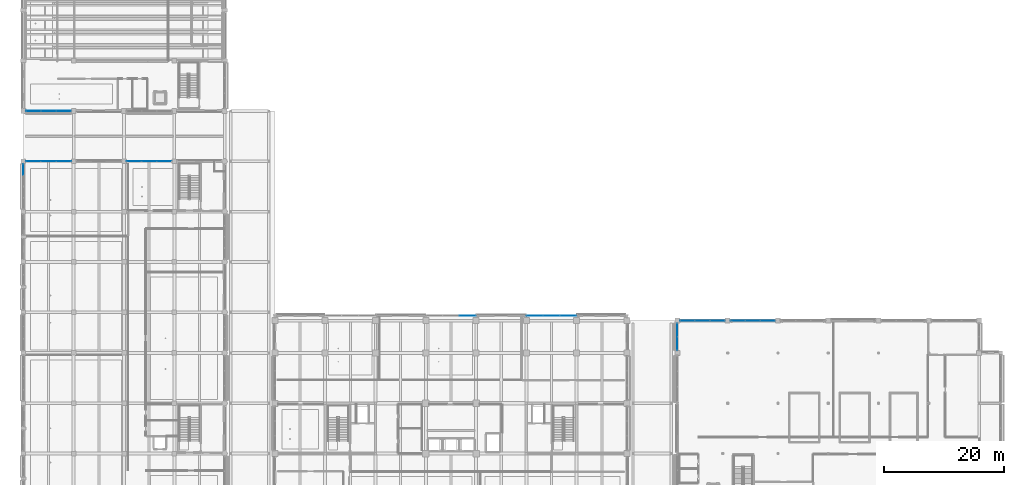
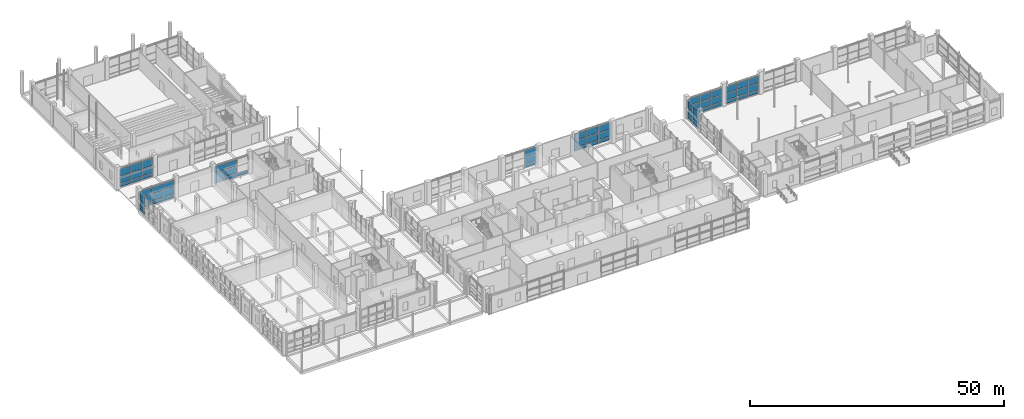
# One storey, part 49 of 140: 64 plates, 9 elements without a shape of their own.
"""IFC4 building model written with IfcOpenShell, lengths in metres."""

import ifcopenshell
import ifcopenshell.guid

model = None  # the IFC model being written
_history = None  # IfcOwnerHistory: only IFC2X3 demands one
_inside = {}  # id of a spatial element -> (the spatial element, [elements in it])
_under = {}  # id of a project, library or spatial element -> (it, [spatial elements below it])
_declared = {}  # id of a project -> (the project, [libraries it declares])
_typed = {}  # id of a type object -> (the type object, [elements of that type])
_made_of = {}  # id of a material, layer set ... -> (it, [elements and type objects made of it])


def new_model(schema):
    """Start an empty IFC model of exactly this schema.

    Asked for "IFC4X3", IfcOpenShell would pick the latest addendum, in which some entities
    have other attributes; the version numbers below select the first issue.
    IFC2X3 requires an IfcOwnerHistory on every rooted entity: one is made here for all.
    """
    global model, _history
    if schema == "IFC4X3":
        model = ifcopenshell.file(schema_version=(4, 3, 0, 0))
    else:
        model = ifcopenshell.file(schema=schema)
    _inside.clear()
    _under.clear()
    _declared.clear()
    _typed.clear()
    _made_of.clear()
    _history = None
    if model.schema == "IFC2X3":
        org = make("IfcOrganization", Name="unknown")
        user = make(
            "IfcPersonAndOrganization",
            ThePerson=make("IfcPerson", FamilyName="unknown"),
            TheOrganization=org,
        )
        app = make(
            "IfcApplication",
            ApplicationDeveloper=org,
            Version="unknown",
            ApplicationFullName="unknown",
            ApplicationIdentifier="unknown",
        )
        _history = make(
            "IfcOwnerHistory",
            OwningUser=user,
            OwningApplication=app,
            ChangeAction="ADDED",
            CreationDate=0,
        )
    return model


def make(cls, **values):
    """One entity of the class cls with the attributes given. An attribute that is None is left unset."""
    return model.create_entity(
        cls, **{name: value for name, value in values.items() if value is not None}
    )


def rooted(cls, **values):
    """An entity with a GlobalId (a new one), such as an element, a storey or a relation."""
    return make(cls, GlobalId=ifcopenshell.guid.new(), OwnerHistory=_history, **values)


def si_unit(unit_type, name, prefix=None):
    """IfcSIUnit, for example si_unit("LENGTHUNIT", "METRE", prefix="MILLI")."""
    return make("IfcSIUnit", UnitType=unit_type, Prefix=prefix, Name=name)


def assignment(units):
    """IfcUnitAssignment: the units of a project."""
    return None if units is None else make("IfcUnitAssignment", Units=units)


def point(xyz):
    """IfcCartesianPoint."""
    return None if xyz is None else make("IfcCartesianPoint", Coordinates=xyz)


def direction(xyz):
    """IfcDirection."""
    return None if xyz is None else make("IfcDirection", DirectionRatios=xyz)


def frame(location, z_axis=None, x_axis=None):
    """IfcAxis2Placement3D, a coordinate frame: its origin and axes. An axis left out is left unset."""
    return make(
        "IfcAxis2Placement3D",
        Location=point(location),
        Axis=direction(z_axis),
        RefDirection=direction(x_axis),
    )


def frame_2d(location, x_axis=None):
    """IfcAxis2Placement2D, a coordinate frame in the plane: its origin and x axis."""
    return make(
        "IfcAxis2Placement2D", Location=point(location), RefDirection=direction(x_axis)
    )


def origin():
    """The frame at (0, 0, 0) with its axes left unset."""
    return frame((0.0, 0.0, 0.0))


def origin_2d():
    """The frame at (0, 0) in the plane with its x axis left unset."""
    return frame_2d((0.0, 0.0))


def place(relative_to, where):
    """IfcLocalPlacement: puts the frame where relative to a parent placement (None: the world)."""
    return make(
        "IfcLocalPlacement", PlacementRelTo=relative_to, RelativePlacement=where
    )


def context(
    kind, dimensions, precision=None, world=None, true_north=None, identifier=None
):
    """IfcGeometricRepresentationContext, for example the 3D "Model" context."""
    return make(
        "IfcGeometricRepresentationContext",
        ContextIdentifier=identifier,
        ContextType=kind,
        CoordinateSpaceDimension=dimensions,
        Precision=precision,
        WorldCoordinateSystem=world,
        TrueNorth=true_north,
    )


def subcontext(parent, identifier, kind, view, scale=None):
    """IfcGeometricRepresentationSubContext, for example "Body" below "Model"."""
    return make(
        "IfcGeometricRepresentationSubContext",
        ContextIdentifier=identifier,
        ContextType=kind,
        ParentContext=parent,
        TargetScale=scale,
        TargetView=view,
    )


def project(units=None, contexts=None):
    """IfcProject with its units and contexts."""
    return rooted(
        "IfcProject",
        Name="project",
        RepresentationContexts=contexts,
        UnitsInContext=assignment(units),
    )


def spatial(cls, under=None, at=None, **own):
    """A site, building, storey or space (cls), placed at a placement, below another one or the project."""
    s = rooted(cls, ObjectPlacement=at, **own)
    if under is not None:
        _under.setdefault(under.id(), (under, []))[1].append(s)
    return s


def profile(cls, at=None, kind="AREA", **sizes):
    """A parametric profile (cls). Its sizes go by their IFC names, for example OverallWidth=200.0."""
    return make(cls, ProfileType=kind, Position=at, **sizes)


def rectangle(**sizes):
    """IfcRectangleProfileDef."""
    return profile("IfcRectangleProfileDef", **sizes)


def extrude(swept, where, along, depth):
    """IfcExtrudedAreaSolid: the profile swept, set in the frame where, extruded along a direction by depth."""
    return make(
        "IfcExtrudedAreaSolid",
        SweptArea=swept,
        Position=where,
        ExtrudedDirection=direction(along),
        Depth=depth,
    )


def shape(context_of_items, identifier, shape_type, items):
    """IfcShapeRepresentation: the items that make up one representation, for example the "Body"."""
    return make(
        "IfcShapeRepresentation",
        ContextOfItems=context_of_items,
        RepresentationIdentifier=identifier,
        RepresentationType=shape_type,
        Items=items,
    )


def material(Name=None, Category=None):
    """IfcMaterial."""
    return make("IfcMaterial", Name=Name, Category=Category)


def layer(
    of_material, thickness, ventilated=None, Name=None, Category=None, Priority=None
):
    """IfcMaterialLayer: one layer of a wall or slab, of a material (None: an air gap)."""
    return make(
        "IfcMaterialLayer",
        Material=of_material,
        LayerThickness=thickness,
        IsVentilated=ventilated,
        Name=Name,
        Category=Category,
        Priority=Priority,
    )


def layer_set(layers, Name=None):
    """IfcMaterialLayerSet."""
    return make("IfcMaterialLayerSet", MaterialLayers=layers, LayerSetName=Name)


def made_of(thing, what):
    """Note that an element or type object is made of a material, layer set ...; save() writes the relation."""
    if what is not None:
        _made_of.setdefault(what.id(), (what, []))[1].append(thing)
    return thing


def type_object(cls, material=None, **own):
    """A type object (cls), such as IfcWallType, which elements share."""
    return made_of(rooted(cls, **own), material)


def element(
    cls,
    number,
    at=None,
    inside=None,
    cuts=None,
    type_object=None,
    material=None,
    context=None,
    identifier="Body",
    shape_type=None,
    held_by="IfcProductDefinitionShape",
    body=None,
    shapes=None,
    **own,
):
    """One element of the class cls, such as IfcWall. Its Tag is "e" and its number.

    at: its placement. inside: the storey or other place that contains it. cuts: it is an
    opening in that element (IfcRelVoidsElement). A single representation is given by context,
    identifier, shape_type and body (its items); several are given by shapes. held_by: the class
    of the entity that holds the representations. save() writes the other relations.
    """
    e = rooted(cls, Tag="e%d" % number, ObjectPlacement=at, **own)
    if body is not None:
        shapes = [shape(context, identifier, shape_type, body)]
    if shapes is not None:
        e.Representation = make(held_by, Representations=shapes)
    if inside is not None:
        _inside.setdefault(inside.id(), (inside, []))[1].append(e)
    if cuts is not None:
        rooted(
            "IfcRelVoidsElement", RelatingBuildingElement=cuts, RelatedOpeningElement=e
        )
    if type_object is not None:
        _typed.setdefault(type_object.id(), (type_object, []))[1].append(e)
    return made_of(e, material)


def aggregate(whole, parts):
    """IfcRelAggregates: a whole, such as a stair, and the parts it consists of."""
    return rooted("IfcRelAggregates", RelatingObject=whole, RelatedObjects=parts)


def save(model, path):
    """Write the relations noted so far, then the file.

    IfcRelAggregates (storeys below a building ...), IfcRelContainedInSpatialStructure (elements
    in a storey), IfcRelDefinesByType, IfcRelAssociatesMaterial and IfcRelDeclares: one each for
    every whole, place, type object, material and project.
    """
    for whole, parts in _under.values():
        aggregate(whole, parts)
    for where, things in _inside.values():
        rooted(
            "IfcRelContainedInSpatialStructure",
            RelatedElements=things,
            RelatingStructure=where,
        )
    for kind, things in _typed.values():
        rooted("IfcRelDefinesByType", RelatedObjects=things, RelatingType=kind)
    for what, things in _made_of.values():
        rooted("IfcRelAssociatesMaterial", RelatedObjects=things, RelatingMaterial=what)
    for by, libraries in _declared.values():
        rooted("IfcRelDeclares", RelatingContext=by, RelatedDefinitions=libraries)
    model.write(path)


model = new_model("IFC4")

# Units and contexts
model_context = context("Model", 3, precision=1e-05, world=origin(), true_north=direction((0.0, 1.0)))
body_context = subcontext(model_context, "Body", "Model", "MODEL_VIEW")
ifc_project = project(units=[si_unit("LENGTHUNIT", "METRE"), si_unit("AREAUNIT", "SQUARE_METRE"), si_unit("VOLUMEUNIT", "CUBIC_METRE"), si_unit("PLANEANGLEUNIT", "RADIAN"), si_unit("MASSUNIT", "GRAM", prefix="KILO")], contexts=[model_context])

# Site, building, storey
site_placement = place(None, origin())
site = spatial("IfcSite", under=ifc_project, at=site_placement, CompositionType="ELEMENT")
building_placement = place(site_placement, origin())
building = spatial("IfcBuilding", under=site, at=building_placement, Name="Telukmera Botanical Conservatory", CompositionType="ELEMENT")
storey_placement = place(building_placement, origin())
storey = spatial("IfcBuildingStorey", under=building, at=storey_placement, Name="L00", CompositionType="ELEMENT", Elevation=0.0)

# Curtain wall, plates
ifc_material_1 = material(Name="Anodised aluminium 6063-T6", Category="aluminium")
ifc_layer_1 = layer(ifc_material_1, 0.179931640625)
ifc_layer_set_1 = layer_set([ifc_layer_1], Name="Anodised aluminium 6063-T6")
curtain_wall_type_1 = type_object("IfcCurtainWallType", Name="Auditorium Ground Foyer Acoustic Curtain Wall", PredefinedType="USERDEFINED", material=ifc_layer_set_1)
curtain_wall_1_placement = place(storey_placement, origin())
curtain_wall_1 = element("IfcCurtainWall", 1, at=curtain_wall_1_placement, inside=storey, type_object=curtain_wall_type_1, Name="Unitised Curtain Wall CW04 V2:L00:S1", ObjectType="UNITISED CURTAIN WALL", PredefinedType="USERDEFINED")
ifc_material_2 = material(Name="Spectrally selective low-E double glazing", Category="glass")
ifc_layer_2 = layer(ifc_material_2, 0.044921875)
ifc_layer_set_2 = layer_set([ifc_layer_2], Name="Spectrally selective low-E double glazing")
plate_type_1 = type_object("IfcPlateType", Name="Acoustic Triple Laminated Foyer Glazing Panel 45", PredefinedType="CURTAIN_PANEL", material=ifc_layer_set_2)
plate_1_placement = place(storey_placement, frame((10.08544921875, 83.199951171875, 0.14990234375), z_axis=(0.0, 0.0, 1.0), x_axis=(1.0, 0.0, 0.0)))
plate_1 = element("IfcPlate", 2, at=plate_1_placement, type_object=plate_type_1, Name="CW04 panel 1.1", PredefinedType="CURTAIN_PANEL", context=body_context, shape_type="SweptSolid", body=[
    extrude(rectangle(XDim=2.427001953125, YDim=0.044921875, at=origin_2d()), origin(), (0.0, 0.0, 1.0), 0.72509765625),
])
plate_2_placement = place(storey_placement, frame((10.08544921875, 83.199951171875, 1.02490234375), z_axis=(0.0, 0.0, 1.0), x_axis=(1.0, 0.0, 0.0)))
plate_2 = element("IfcPlate", 3, at=plate_2_placement, type_object=plate_type_1, Name="CW04 panel 1.2", PredefinedType="CURTAIN_PANEL", context=body_context, shape_type="SweptSolid", body=[
    extrude(rectangle(XDim=2.427001953125, YDim=0.044921875, at=origin_2d()), origin(), (0.0, 0.0, 1.0), 1.550048828125),
])
plate_3_placement = place(storey_placement, frame((10.08544921875, 83.199951171875, 2.72509765625), z_axis=(0.0, 0.0, 1.0), x_axis=(1.0, 0.0, 0.0)))
plate_3 = element("IfcPlate", 4, at=plate_3_placement, type_object=plate_type_1, Name="CW04 panel 1.3", PredefinedType="CURTAIN_PANEL", context=body_context, shape_type="SweptSolid", body=[
    extrude(rectangle(XDim=2.427001953125, YDim=0.044921875, at=origin_2d()), origin(), (0.0, 0.0, 1.0), 1.77490234375),
])
plate_4_placement = place(storey_placement, frame((12.60009765625, 83.199951171875, 0.14990234375), z_axis=(0.0, 0.0, 1.0), x_axis=(1.0, 0.0, 0.0)))
plate_4 = element("IfcPlate", 5, at=plate_4_placement, type_object=plate_type_1, Name="CW04 panel 2.1", PredefinedType="CURTAIN_PANEL", context=body_context, shape_type="SweptSolid", body=[
    extrude(rectangle(XDim=2.4619140625, YDim=0.044921875, at=origin_2d()), origin(), (0.0, 0.0, 1.0), 0.72509765625),
])
plate_5_placement = place(storey_placement, frame((12.60009765625, 83.199951171875, 1.02490234375), z_axis=(0.0, 0.0, 1.0), x_axis=(1.0, 0.0, 0.0)))
plate_5 = element("IfcPlate", 6, at=plate_5_placement, type_object=plate_type_1, Name="CW04 panel 2.2", PredefinedType="CURTAIN_PANEL", context=body_context, shape_type="SweptSolid", body=[
    extrude(rectangle(XDim=2.4619140625, YDim=0.044921875, at=origin_2d()), origin(), (0.0, 0.0, 1.0), 1.550048828125),
])
plate_6_placement = place(storey_placement, frame((12.60009765625, 83.199951171875, 2.72509765625), z_axis=(0.0, 0.0, 1.0), x_axis=(1.0, 0.0, 0.0)))
plate_6 = element("IfcPlate", 7, at=plate_6_placement, type_object=plate_type_1, Name="CW04 panel 2.3", PredefinedType="CURTAIN_PANEL", context=body_context, shape_type="SweptSolid", body=[
    extrude(rectangle(XDim=2.4619140625, YDim=0.044921875, at=origin_2d()), origin(), (0.0, 0.0, 1.0), 1.77490234375),
])
plate_7_placement = place(storey_placement, frame((15.114501953125, 83.199951171875, 0.14990234375), z_axis=(0.0, 0.0, 1.0), x_axis=(1.0, 0.0, 0.0)))
plate_7 = element("IfcPlate", 8, at=plate_7_placement, type_object=plate_type_1, Name="CW04 panel 3.1", PredefinedType="CURTAIN_PANEL", context=body_context, shape_type="SweptSolid", body=[
    extrude(rectangle(XDim=2.427001953125, YDim=0.044921875, at=origin_2d()), origin(), (0.0, 0.0, 1.0), 0.72509765625),
])
plate_8_placement = place(storey_placement, frame((15.114501953125, 83.199951171875, 1.02490234375), z_axis=(0.0, 0.0, 1.0), x_axis=(1.0, 0.0, 0.0)))
plate_8 = element("IfcPlate", 9, at=plate_8_placement, type_object=plate_type_1, Name="CW04 panel 3.2", PredefinedType="CURTAIN_PANEL", context=body_context, shape_type="SweptSolid", body=[
    extrude(rectangle(XDim=2.427001953125, YDim=0.044921875, at=origin_2d()), origin(), (0.0, 0.0, 1.0), 1.550048828125),
])
plate_9_placement = place(storey_placement, frame((15.114501953125, 83.199951171875, 2.72509765625), z_axis=(0.0, 0.0, 1.0), x_axis=(1.0, 0.0, 0.0)))
plate_9 = element("IfcPlate", 10, at=plate_9_placement, type_object=plate_type_1, Name="CW04 panel 3.3", PredefinedType="CURTAIN_PANEL", context=body_context, shape_type="SweptSolid", body=[
    extrude(rectangle(XDim=2.427001953125, YDim=0.044921875, at=origin_2d()), origin(), (0.0, 0.0, 1.0), 1.77490234375),
])
aggregate(curtain_wall_1, [plate_1, plate_2, plate_3, plate_4, plate_5, plate_6, plate_7, plate_8, plate_9])

ifc_layer_3 = layer(ifc_material_1, 0.179931640625)
ifc_layer_set_3 = layer_set([ifc_layer_3], Name="Anodised aluminium 6063-T6")
curtain_wall_type_2 = type_object("IfcCurtainWallType", Name="Conservatory North Gable Unitised Curtain Wall", PredefinedType="USERDEFINED", material=ifc_layer_set_3)
curtain_wall_2_placement = place(storey_placement, origin())
curtain_wall_2 = element("IfcCurtainWall", 11, at=curtain_wall_2_placement, inside=storey, type_object=curtain_wall_type_2, Name="Unitised Curtain Wall CW03 V1:L00:W4", ObjectType="UNITISED CURTAIN WALL", PredefinedType="USERDEFINED")
ifc_layer_4 = layer(ifc_material_2, 0.02392578125)
ifc_layer_set_4 = layer_set([ifc_layer_4], Name="Spectrally selective low-E double glazing")
plate_type_2 = type_object("IfcPlateType", Name="High Light Transmission Conservatory Glazing Panel 24", PredefinedType="CURTAIN_PANEL", material=ifc_layer_set_4)
plate_10_placement = place(storey_placement, frame((117.60009765625, 44.379638671875, 0.130126953125), z_axis=(0.0, 0.0, 1.0), x_axis=(0.0, 1.0, 0.0)))
plate_10 = element("IfcPlate", 12, at=plate_10_placement, type_object=plate_type_2, Name="CW03 panel 1.1", PredefinedType="CURTAIN_PANEL", context=body_context, shape_type="SweptSolid", body=[
    extrude(rectangle(XDim=2.175537109375, YDim=0.02392578125, at=origin_2d()), origin(), (0.0, 0.0, 1.0), 0.7548828125),
])
plate_11_placement = place(storey_placement, frame((117.60009765625, 44.379638671875, 1.01513671875), z_axis=(0.0, 0.0, 1.0), x_axis=(0.0, 1.0, 0.0)))
plate_11 = element("IfcPlate", 13, at=plate_11_placement, type_object=plate_type_2, Name="CW03 panel 1.2", PredefinedType="CURTAIN_PANEL", context=body_context, shape_type="SweptSolid", body=[
    extrude(rectangle(XDim=2.175537109375, YDim=0.02392578125, at=origin_2d()), origin(), (0.0, 0.0, 1.0), 1.570068359375),
])
plate_12_placement = place(storey_placement, frame((117.60009765625, 44.379638671875, 2.715087890625), z_axis=(0.0, 0.0, 1.0), x_axis=(0.0, 1.0, 0.0)))
plate_12 = element("IfcPlate", 14, at=plate_12_placement, type_object=plate_type_2, Name="CW03 panel 1.3", PredefinedType="CURTAIN_PANEL", context=body_context, shape_type="SweptSolid", body=[
    extrude(rectangle(XDim=2.175537109375, YDim=0.02392578125, at=origin_2d()), origin(), (0.0, 0.0, 1.0), 1.60498046875),
])
plate_13_placement = place(storey_placement, frame((117.60009765625, 46.620361328125, 0.130126953125), z_axis=(0.0, 0.0, 1.0), x_axis=(0.0, 1.0, 0.0)))
plate_13 = element("IfcPlate", 15, at=plate_13_placement, type_object=plate_type_2, Name="CW03 panel 2.1", PredefinedType="CURTAIN_PANEL", context=body_context, shape_type="SweptSolid", body=[
    extrude(rectangle(XDim=2.175537109375, YDim=0.02392578125, at=origin_2d()), origin(), (0.0, 0.0, 1.0), 0.7548828125),
])
plate_14_placement = place(storey_placement, frame((117.60009765625, 46.620361328125, 1.01513671875), z_axis=(0.0, 0.0, 1.0), x_axis=(0.0, 1.0, 0.0)))
plate_14 = element("IfcPlate", 16, at=plate_14_placement, type_object=plate_type_2, Name="CW03 panel 2.2", PredefinedType="CURTAIN_PANEL", context=body_context, shape_type="SweptSolid", body=[
    extrude(rectangle(XDim=2.175537109375, YDim=0.02392578125, at=origin_2d()), origin(), (0.0, 0.0, 1.0), 1.570068359375),
])
plate_15_placement = place(storey_placement, frame((117.60009765625, 46.620361328125, 2.715087890625), z_axis=(0.0, 0.0, 1.0), x_axis=(0.0, 1.0, 0.0)))
plate_15 = element("IfcPlate", 17, at=plate_15_placement, type_object=plate_type_2, Name="CW03 panel 2.3", PredefinedType="CURTAIN_PANEL", context=body_context, shape_type="SweptSolid", body=[
    extrude(rectangle(XDim=2.175537109375, YDim=0.02392578125, at=origin_2d()), origin(), (0.0, 0.0, 1.0), 1.60498046875),
])
aggregate(curtain_wall_2, [plate_10, plate_11, plate_12, plate_13, plate_14, plate_15])

ifc_layer_5 = layer(ifc_material_1, 0.179931640625)
ifc_layer_set_5 = layer_set([ifc_layer_5], Name="Anodised aluminium 6063-T6")
curtain_wall_type_3 = type_object("IfcCurtainWallType", Name="Visitor Colonnade Ground Curtain Wall 2400 Mod", PredefinedType="USERDEFINED", material=ifc_layer_set_5)
curtain_wall_3_placement = place(storey_placement, origin())
curtain_wall_3 = element("IfcCurtainWall", 18, at=curtain_wall_3_placement, inside=storey, type_object=curtain_wall_type_3, Name="Unitised Curtain Wall CW07 V3:L00:N1", ObjectType="UNITISED CURTAIN WALL", PredefinedType="USERDEFINED")
ifc_layer_6 = layer(ifc_material_2, 0.0380859375)
ifc_layer_set_6 = layer_set([ifc_layer_6], Name="Spectrally selective low-E double glazing")
plate_type_3 = type_object("IfcPlateType", Name="Solar Control Fritted Spandrel Glazing Panel 38", PredefinedType="CURTAIN_PANEL", material=ifc_layer_set_6)
plate_16_placement = place(storey_placement, frame((10.06884765625, 74.800048828125, 0.14990234375), z_axis=(0.0, 0.0, 1.0), x_axis=(1.0, 0.0, 0.0)))
plate_16 = element("IfcPlate", 19, at=plate_16_placement, type_object=plate_type_3, Name="CW07 panel 1.1", PredefinedType="CURTAIN_PANEL", context=body_context, shape_type="SweptSolid", body=[
    extrude(rectangle(XDim=2.443603515625, YDim=0.0380859375, at=origin_2d()), origin(), (0.0, 0.0, 1.0), 0.72509765625),
])
plate_17_placement = place(storey_placement, frame((10.06884765625, 74.800048828125, 1.02490234375), z_axis=(0.0, 0.0, 1.0), x_axis=(1.0, 0.0, 0.0)))
plate_17 = element("IfcPlate", 20, at=plate_17_placement, type_object=plate_type_3, Name="CW07 panel 1.2", PredefinedType="CURTAIN_PANEL", context=body_context, shape_type="SweptSolid", body=[
    extrude(rectangle(XDim=2.443603515625, YDim=0.0380859375, at=origin_2d()), origin(), (0.0, 0.0, 1.0), 1.550048828125),
])
plate_18_placement = place(storey_placement, frame((10.06884765625, 74.800048828125, 2.72509765625), z_axis=(0.0, 0.0, 1.0), x_axis=(1.0, 0.0, 0.0)))
plate_18 = element("IfcPlate", 21, at=plate_18_placement, type_object=plate_type_3, Name="CW07 panel 1.3", PredefinedType="CURTAIN_PANEL", context=body_context, shape_type="SweptSolid", body=[
    extrude(rectangle(XDim=2.443603515625, YDim=0.0380859375, at=origin_2d()), origin(), (0.0, 0.0, 1.0), 1.574951171875),
])
plate_19_placement = place(storey_placement, frame((12.60009765625, 74.800048828125, 0.14990234375), z_axis=(0.0, 0.0, 1.0), x_axis=(1.0, 0.0, 0.0)))
plate_19 = element("IfcPlate", 22, at=plate_19_placement, type_object=plate_type_3, Name="CW07 panel 2.1", PredefinedType="CURTAIN_PANEL", context=body_context, shape_type="SweptSolid", body=[
    extrude(rectangle(XDim=2.478759765625, YDim=0.0380859375, at=origin_2d()), origin(), (0.0, 0.0, 1.0), 0.72509765625),
])
plate_20_placement = place(storey_placement, frame((12.60009765625, 74.800048828125, 1.02490234375), z_axis=(0.0, 0.0, 1.0), x_axis=(1.0, 0.0, 0.0)))
plate_20 = element("IfcPlate", 23, at=plate_20_placement, type_object=plate_type_3, Name="CW07 panel 2.2", PredefinedType="CURTAIN_PANEL", context=body_context, shape_type="SweptSolid", body=[
    extrude(rectangle(XDim=2.478759765625, YDim=0.0380859375, at=origin_2d()), origin(), (0.0, 0.0, 1.0), 1.550048828125),
])
plate_21_placement = place(storey_placement, frame((12.60009765625, 74.800048828125, 2.72509765625), z_axis=(0.0, 0.0, 1.0), x_axis=(1.0, 0.0, 0.0)))
plate_21 = element("IfcPlate", 24, at=plate_21_placement, type_object=plate_type_3, Name="CW07 panel 2.3", PredefinedType="CURTAIN_PANEL", context=body_context, shape_type="SweptSolid", body=[
    extrude(rectangle(XDim=2.478759765625, YDim=0.0380859375, at=origin_2d()), origin(), (0.0, 0.0, 1.0), 1.574951171875),
])
plate_22_placement = place(storey_placement, frame((15.131103515625, 74.800048828125, 0.14990234375), z_axis=(0.0, 0.0, 1.0), x_axis=(1.0, 0.0, 0.0)))
plate_22 = element("IfcPlate", 25, at=plate_22_placement, type_object=plate_type_3, Name="CW07 panel 3.1", PredefinedType="CURTAIN_PANEL", context=body_context, shape_type="SweptSolid", body=[
    extrude(rectangle(XDim=2.443603515625, YDim=0.0380859375, at=origin_2d()), origin(), (0.0, 0.0, 1.0), 0.72509765625),
])
plate_23_placement = place(storey_placement, frame((15.131103515625, 74.800048828125, 1.02490234375), z_axis=(0.0, 0.0, 1.0), x_axis=(1.0, 0.0, 0.0)))
plate_23 = element("IfcPlate", 26, at=plate_23_placement, type_object=plate_type_3, Name="CW07 panel 3.2", PredefinedType="CURTAIN_PANEL", context=body_context, shape_type="SweptSolid", body=[
    extrude(rectangle(XDim=2.443603515625, YDim=0.0380859375, at=origin_2d()), origin(), (0.0, 0.0, 1.0), 1.550048828125),
])
plate_24_placement = place(storey_placement, frame((15.131103515625, 74.800048828125, 2.72509765625), z_axis=(0.0, 0.0, 1.0), x_axis=(1.0, 0.0, 0.0)))
plate_24 = element("IfcPlate", 27, at=plate_24_placement, type_object=plate_type_3, Name="CW07 panel 3.3", PredefinedType="CURTAIN_PANEL", context=body_context, shape_type="SweptSolid", body=[
    extrude(rectangle(XDim=2.443603515625, YDim=0.0380859375, at=origin_2d()), origin(), (0.0, 0.0, 1.0), 1.574951171875),
])
aggregate(curtain_wall_3, [plate_16, plate_17, plate_18, plate_19, plate_20, plate_21, plate_22, plate_23, plate_24])

curtain_wall_4_placement = place(storey_placement, origin())
curtain_wall_4 = element("IfcCurtainWall", 28, at=curtain_wall_4_placement, inside=storey, type_object=curtain_wall_type_3, Name="Unitised Curtain Wall CW07 V3:L00:N3", ObjectType="UNITISED CURTAIN WALL", PredefinedType="USERDEFINED")
plate_25_placement = place(storey_placement, frame((26.868896484375, 74.800048828125, 0.14990234375), z_axis=(0.0, 0.0, 1.0), x_axis=(1.0, 0.0, 0.0)))
plate_25 = element("IfcPlate", 29, at=plate_25_placement, type_object=plate_type_3, Name="CW07 panel 1.1", PredefinedType="CURTAIN_PANEL", context=body_context, shape_type="SweptSolid", body=[
    extrude(rectangle(XDim=2.443603515625, YDim=0.0380859375, at=origin_2d()), origin(), (0.0, 0.0, 1.0), 0.72509765625),
])
plate_26_placement = place(storey_placement, frame((26.868896484375, 74.800048828125, 1.02490234375), z_axis=(0.0, 0.0, 1.0), x_axis=(1.0, 0.0, 0.0)))
plate_26 = element("IfcPlate", 30, at=plate_26_placement, type_object=plate_type_3, Name="CW07 panel 1.2", PredefinedType="CURTAIN_PANEL", context=body_context, shape_type="SweptSolid", body=[
    extrude(rectangle(XDim=2.443603515625, YDim=0.0380859375, at=origin_2d()), origin(), (0.0, 0.0, 1.0), 1.550048828125),
])
plate_27_placement = place(storey_placement, frame((26.868896484375, 74.800048828125, 2.72509765625), z_axis=(0.0, 0.0, 1.0), x_axis=(1.0, 0.0, 0.0)))
plate_27 = element("IfcPlate", 31, at=plate_27_placement, type_object=plate_type_3, Name="CW07 panel 1.3", PredefinedType="CURTAIN_PANEL", context=body_context, shape_type="SweptSolid", body=[
    extrude(rectangle(XDim=2.443603515625, YDim=0.0380859375, at=origin_2d()), origin(), (0.0, 0.0, 1.0), 1.574951171875),
])
plate_28_placement = place(storey_placement, frame((29.39990234375, 74.800048828125, 0.14990234375), z_axis=(0.0, 0.0, 1.0), x_axis=(1.0, 0.0, 0.0)))
plate_28 = element("IfcPlate", 32, at=plate_28_placement, type_object=plate_type_3, Name="CW07 panel 2.1", PredefinedType="CURTAIN_PANEL", context=body_context, shape_type="SweptSolid", body=[
    extrude(rectangle(XDim=2.478759765625, YDim=0.0380859375, at=origin_2d()), origin(), (0.0, 0.0, 1.0), 0.72509765625),
])
plate_29_placement = place(storey_placement, frame((29.39990234375, 74.800048828125, 1.02490234375), z_axis=(0.0, 0.0, 1.0), x_axis=(1.0, 0.0, 0.0)))
plate_29 = element("IfcPlate", 33, at=plate_29_placement, type_object=plate_type_3, Name="CW07 panel 2.2", PredefinedType="CURTAIN_PANEL", context=body_context, shape_type="SweptSolid", body=[
    extrude(rectangle(XDim=2.478759765625, YDim=0.0380859375, at=origin_2d()), origin(), (0.0, 0.0, 1.0), 1.550048828125),
])
plate_30_placement = place(storey_placement, frame((29.39990234375, 74.800048828125, 2.72509765625), z_axis=(0.0, 0.0, 1.0), x_axis=(1.0, 0.0, 0.0)))
plate_30 = element("IfcPlate", 34, at=plate_30_placement, type_object=plate_type_3, Name="CW07 panel 2.3", PredefinedType="CURTAIN_PANEL", context=body_context, shape_type="SweptSolid", body=[
    extrude(rectangle(XDim=2.478759765625, YDim=0.0380859375, at=origin_2d()), origin(), (0.0, 0.0, 1.0), 1.574951171875),
])
plate_31_placement = place(storey_placement, frame((31.93115234375, 74.800048828125, 0.14990234375), z_axis=(0.0, 0.0, 1.0), x_axis=(1.0, 0.0, 0.0)))
plate_31 = element("IfcPlate", 35, at=plate_31_placement, type_object=plate_type_3, Name="CW07 panel 3.1", PredefinedType="CURTAIN_PANEL", context=body_context, shape_type="SweptSolid", body=[
    extrude(rectangle(XDim=2.443603515625, YDim=0.0380859375, at=origin_2d()), origin(), (0.0, 0.0, 1.0), 0.72509765625),
])
aggregate(curtain_wall_4, [plate_25, plate_26, plate_27, plate_28, plate_29, plate_30, plate_31])

ifc_layer_7 = layer(ifc_material_1, 0.179931640625)
ifc_layer_set_7 = layer_set([ifc_layer_7], Name="Anodised aluminium 6063-T6")
curtain_wall_type_4 = type_object("IfcCurtainWallType", Name="Tower Boulevard Podium Hall Curtain Wall", PredefinedType="USERDEFINED", material=ifc_layer_set_7)
curtain_wall_5_placement = place(storey_placement, origin())
curtain_wall_5 = element("IfcCurtainWall", 36, at=curtain_wall_5_placement, inside=storey, type_object=curtain_wall_type_4, Name="Unitised Curtain Wall CW12 V4:L00:N4", ObjectType="UNITISED CURTAIN WALL", PredefinedType="USERDEFINED")
plate_32_placement = place(storey_placement, frame((82.5810546875, 49.02001953125, 0.14990234375), z_axis=(0.0, 0.0, 1.0), x_axis=(1.0, 0.0, 0.0)))
plate_32 = element("IfcPlate", 37, at=plate_32_placement, type_object=plate_type_3, Name="CW12 panel 3.1", PredefinedType="CURTAIN_PANEL", context=body_context, shape_type="SweptSolid", body=[
    extrude(rectangle(XDim=2.693603515625, YDim=0.0380859375, at=origin_2d()), origin(), (0.0, 0.0, 1.0), 0.72509765625),
])
plate_33_placement = place(storey_placement, frame((82.5810546875, 49.02001953125, 1.02490234375), z_axis=(0.0, 0.0, 1.0), x_axis=(1.0, 0.0, 0.0)))
plate_33 = element("IfcPlate", 38, at=plate_33_placement, type_object=plate_type_3, Name="CW12 panel 3.2", PredefinedType="CURTAIN_PANEL", context=body_context, shape_type="SweptSolid", body=[
    extrude(rectangle(XDim=2.693603515625, YDim=0.0380859375, at=origin_2d()), origin(), (0.0, 0.0, 1.0), 1.550048828125),
])
plate_34_placement = place(storey_placement, frame((82.5810546875, 49.02001953125, 2.72509765625), z_axis=(0.0, 0.0, 1.0), x_axis=(1.0, 0.0, 0.0)))
plate_34 = element("IfcPlate", 39, at=plate_34_placement, type_object=plate_type_3, Name="CW12 panel 3.3", PredefinedType="CURTAIN_PANEL", context=body_context, shape_type="SweptSolid", body=[
    extrude(rectangle(XDim=2.693603515625, YDim=0.0380859375, at=origin_2d()), origin(), (0.0, 0.0, 1.0), 1.574951171875),
])
aggregate(curtain_wall_5, [plate_32, plate_33, plate_34])

curtain_wall_6_placement = place(storey_placement, origin())
curtain_wall_6 = element("IfcCurtainWall", 40, at=curtain_wall_6_placement, inside=storey, type_object=curtain_wall_type_4, Name="Unitised Curtain Wall CW12 V4:L00:N6", ObjectType="UNITISED CURTAIN WALL", PredefinedType="USERDEFINED")
plate_35_placement = place(storey_placement, frame((93.81884765625, 49.02001953125, 0.14990234375), z_axis=(0.0, 0.0, 1.0), x_axis=(1.0, 0.0, 0.0)))
plate_35 = element("IfcPlate", 41, at=plate_35_placement, type_object=plate_type_3, Name="CW12 panel 1.1", PredefinedType="CURTAIN_PANEL", context=body_context, shape_type="SweptSolid", body=[
    extrude(rectangle(XDim=2.693603515625, YDim=0.0380859375, at=origin_2d()), origin(), (0.0, 0.0, 1.0), 0.72509765625),
])
plate_36_placement = place(storey_placement, frame((93.81884765625, 49.02001953125, 1.02490234375), z_axis=(0.0, 0.0, 1.0), x_axis=(1.0, 0.0, 0.0)))
plate_36 = element("IfcPlate", 42, at=plate_36_placement, type_object=plate_type_3, Name="CW12 panel 1.2", PredefinedType="CURTAIN_PANEL", context=body_context, shape_type="SweptSolid", body=[
    extrude(rectangle(XDim=2.693603515625, YDim=0.0380859375, at=origin_2d()), origin(), (0.0, 0.0, 1.0), 1.550048828125),
])
plate_37_placement = place(storey_placement, frame((93.81884765625, 49.02001953125, 2.72509765625), z_axis=(0.0, 0.0, 1.0), x_axis=(1.0, 0.0, 0.0)))
plate_37 = element("IfcPlate", 43, at=plate_37_placement, type_object=plate_type_3, Name="CW12 panel 1.3", PredefinedType="CURTAIN_PANEL", context=body_context, shape_type="SweptSolid", body=[
    extrude(rectangle(XDim=2.693603515625, YDim=0.0380859375, at=origin_2d()), origin(), (0.0, 0.0, 1.0), 1.574951171875),
])
plate_38_placement = place(storey_placement, frame((96.60009765625, 49.02001953125, 0.14990234375), z_axis=(0.0, 0.0, 1.0), x_axis=(1.0, 0.0, 0.0)))
plate_38 = element("IfcPlate", 44, at=plate_38_placement, type_object=plate_type_3, Name="CW12 panel 2.1", PredefinedType="CURTAIN_PANEL", context=body_context, shape_type="SweptSolid", body=[
    extrude(rectangle(XDim=2.728759765625, YDim=0.0380859375, at=origin_2d()), origin(), (0.0, 0.0, 1.0), 0.72509765625),
])
plate_39_placement = place(storey_placement, frame((96.60009765625, 49.02001953125, 1.02490234375), z_axis=(0.0, 0.0, 1.0), x_axis=(1.0, 0.0, 0.0)))
plate_39 = element("IfcPlate", 45, at=plate_39_placement, type_object=plate_type_3, Name="CW12 panel 2.2", PredefinedType="CURTAIN_PANEL", context=body_context, shape_type="SweptSolid", body=[
    extrude(rectangle(XDim=2.728759765625, YDim=0.0380859375, at=origin_2d()), origin(), (0.0, 0.0, 1.0), 1.550048828125),
])
plate_40_placement = place(storey_placement, frame((96.60009765625, 49.02001953125, 2.72509765625), z_axis=(0.0, 0.0, 1.0), x_axis=(1.0, 0.0, 0.0)))
plate_40 = element("IfcPlate", 46, at=plate_40_placement, type_object=plate_type_3, Name="CW12 panel 2.3", PredefinedType="CURTAIN_PANEL", context=body_context, shape_type="SweptSolid", body=[
    extrude(rectangle(XDim=2.728759765625, YDim=0.0380859375, at=origin_2d()), origin(), (0.0, 0.0, 1.0), 1.574951171875),
])
plate_41_placement = place(storey_placement, frame((99.381103515625, 49.02001953125, 0.14990234375), z_axis=(0.0, 0.0, 1.0), x_axis=(1.0, 0.0, 0.0)))
plate_41 = element("IfcPlate", 47, at=plate_41_placement, type_object=plate_type_3, Name="CW12 panel 3.1", PredefinedType="CURTAIN_PANEL", context=body_context, shape_type="SweptSolid", body=[
    extrude(rectangle(XDim=2.693603515625, YDim=0.0380859375, at=origin_2d()), origin(), (0.0, 0.0, 1.0), 0.72509765625),
])
plate_42_placement = place(storey_placement, frame((99.381103515625, 49.02001953125, 1.02490234375), z_axis=(0.0, 0.0, 1.0), x_axis=(1.0, 0.0, 0.0)))
plate_42 = element("IfcPlate", 48, at=plate_42_placement, type_object=plate_type_3, Name="CW12 panel 3.2", PredefinedType="CURTAIN_PANEL", context=body_context, shape_type="SweptSolid", body=[
    extrude(rectangle(XDim=2.693603515625, YDim=0.0380859375, at=origin_2d()), origin(), (0.0, 0.0, 1.0), 1.550048828125),
])
plate_43_placement = place(storey_placement, frame((99.381103515625, 49.02001953125, 2.72509765625), z_axis=(0.0, 0.0, 1.0), x_axis=(1.0, 0.0, 0.0)))
plate_43 = element("IfcPlate", 49, at=plate_43_placement, type_object=plate_type_3, Name="CW12 panel 3.3", PredefinedType="CURTAIN_PANEL", context=body_context, shape_type="SweptSolid", body=[
    extrude(rectangle(XDim=2.693603515625, YDim=0.0380859375, at=origin_2d()), origin(), (0.0, 0.0, 1.0), 1.574951171875),
])
aggregate(curtain_wall_6, [plate_35, plate_36, plate_37, plate_38, plate_39, plate_40, plate_41, plate_42, plate_43])

ifc_layer_8 = layer(ifc_material_1, 0.179931640625)
ifc_layer_set_8 = layer_set([ifc_layer_8], Name="Anodised aluminium 6063-T6")
curtain_wall_type_5 = type_object("IfcCurtainWallType", Name="Conservatory Garden Unitised Curtain Wall 2800 Mod", PredefinedType="USERDEFINED", material=ifc_layer_set_8)
curtain_wall_7_placement = place(storey_placement, origin())
curtain_wall_7 = element("IfcCurtainWall", 50, at=curtain_wall_7_placement, inside=storey, type_object=curtain_wall_type_5, Name="Unitised Curtain Wall CW02 V1:L00:N1", ObjectType="UNITISED CURTAIN WALL", PredefinedType="USERDEFINED")
ifc_layer_9 = layer(ifc_material_2, 0.028076171875)
ifc_layer_set_9 = layer_set([ifc_layer_9], Name="Spectrally selective low-E double glazing")
plate_type_4 = type_object("IfcPlateType", Name="Spectrally Selective Vision Double Glazing Panel 28", PredefinedType="CURTAIN_PANEL", material=ifc_layer_set_9)
plate_44_placement = place(storey_placement, frame((119.30224609375, 48.199951171875, 0.14990234375), z_axis=(0.0, 0.0, 1.0), x_axis=(1.0, 0.0, 0.0)))
plate_44 = element("IfcPlate", 51, at=plate_44_placement, type_object=plate_type_4, Name="CW02 panel 1.1", PredefinedType="CURTAIN_PANEL", context=body_context, shape_type="SweptSolid", body=[
    extrude(rectangle(XDim=2.410400390625, YDim=0.028076171875, at=origin_2d()), origin(), (0.0, 0.0, 1.0), 0.72509765625),
])
plate_45_placement = place(storey_placement, frame((119.30224609375, 48.199951171875, 1.02490234375), z_axis=(0.0, 0.0, 1.0), x_axis=(1.0, 0.0, 0.0)))
plate_45 = element("IfcPlate", 52, at=plate_45_placement, type_object=plate_type_4, Name="CW02 panel 1.2", PredefinedType="CURTAIN_PANEL", context=body_context, shape_type="SweptSolid", body=[
    extrude(rectangle(XDim=2.410400390625, YDim=0.028076171875, at=origin_2d()), origin(), (0.0, 0.0, 1.0), 1.550048828125),
])
plate_46_placement = place(storey_placement, frame((119.30224609375, 48.199951171875, 2.72509765625), z_axis=(0.0, 0.0, 1.0), x_axis=(1.0, 0.0, 0.0)))
plate_46 = element("IfcPlate", 53, at=plate_46_placement, type_object=plate_type_4, Name="CW02 panel 1.3", PredefinedType="CURTAIN_PANEL", context=body_context, shape_type="SweptSolid", body=[
    extrude(rectangle(XDim=2.410400390625, YDim=0.028076171875, at=origin_2d()), origin(), (0.0, 0.0, 1.0), 1.574951171875),
])
plate_47_placement = place(storey_placement, frame((121.800048828125, 48.199951171875, 0.14990234375), z_axis=(0.0, 0.0, 1.0), x_axis=(1.0, 0.0, 0.0)))
plate_47 = element("IfcPlate", 54, at=plate_47_placement, type_object=plate_type_4, Name="CW02 panel 2.1", PredefinedType="CURTAIN_PANEL", context=body_context, shape_type="SweptSolid", body=[
    extrude(rectangle(XDim=2.4453125, YDim=0.028076171875, at=origin_2d()), origin(), (0.0, 0.0, 1.0), 0.72509765625),
])
plate_48_placement = place(storey_placement, frame((121.800048828125, 48.199951171875, 1.02490234375), z_axis=(0.0, 0.0, 1.0), x_axis=(1.0, 0.0, 0.0)))
plate_48 = element("IfcPlate", 55, at=plate_48_placement, type_object=plate_type_4, Name="CW02 panel 2.2", PredefinedType="CURTAIN_PANEL", context=body_context, shape_type="SweptSolid", body=[
    extrude(rectangle(XDim=2.4453125, YDim=0.028076171875, at=origin_2d()), origin(), (0.0, 0.0, 1.0), 1.550048828125),
])
plate_49_placement = place(storey_placement, frame((121.800048828125, 48.199951171875, 2.72509765625), z_axis=(0.0, 0.0, 1.0), x_axis=(1.0, 0.0, 0.0)))
plate_49 = element("IfcPlate", 56, at=plate_49_placement, type_object=plate_type_4, Name="CW02 panel 2.3", PredefinedType="CURTAIN_PANEL", context=body_context, shape_type="SweptSolid", body=[
    extrude(rectangle(XDim=2.4453125, YDim=0.028076171875, at=origin_2d()), origin(), (0.0, 0.0, 1.0), 1.574951171875),
])
plate_50_placement = place(storey_placement, frame((124.2978515625, 48.199951171875, 0.14990234375), z_axis=(0.0, 0.0, 1.0), x_axis=(1.0, 0.0, 0.0)))
plate_50 = element("IfcPlate", 57, at=plate_50_placement, type_object=plate_type_4, Name="CW02 panel 3.1", PredefinedType="CURTAIN_PANEL", context=body_context, shape_type="SweptSolid", body=[
    extrude(rectangle(XDim=2.410400390625, YDim=0.028076171875, at=origin_2d()), origin(), (0.0, 0.0, 1.0), 0.72509765625),
])
plate_51_placement = place(storey_placement, frame((124.2978515625, 48.199951171875, 1.02490234375), z_axis=(0.0, 0.0, 1.0), x_axis=(1.0, 0.0, 0.0)))
plate_51 = element("IfcPlate", 58, at=plate_51_placement, type_object=plate_type_4, Name="CW02 panel 3.2", PredefinedType="CURTAIN_PANEL", context=body_context, shape_type="SweptSolid", body=[
    extrude(rectangle(XDim=2.410400390625, YDim=0.028076171875, at=origin_2d()), origin(), (0.0, 0.0, 1.0), 1.550048828125),
])
plate_52_placement = place(storey_placement, frame((124.2978515625, 48.199951171875, 2.72509765625), z_axis=(0.0, 0.0, 1.0), x_axis=(1.0, 0.0, 0.0)))
plate_52 = element("IfcPlate", 59, at=plate_52_placement, type_object=plate_type_4, Name="CW02 panel 3.3", PredefinedType="CURTAIN_PANEL", context=body_context, shape_type="SweptSolid", body=[
    extrude(rectangle(XDim=2.410400390625, YDim=0.028076171875, at=origin_2d()), origin(), (0.0, 0.0, 1.0), 1.574951171875),
])
aggregate(curtain_wall_7, [plate_44, plate_45, plate_46, plate_47, plate_48, plate_49, plate_50, plate_51, plate_52])

curtain_wall_8_placement = place(storey_placement, origin())
curtain_wall_8 = element("IfcCurtainWall", 60, at=curtain_wall_8_placement, inside=storey, type_object=curtain_wall_type_5, Name="Unitised Curtain Wall CW02 V1:L00:N2", ObjectType="UNITISED CURTAIN WALL", PredefinedType="USERDEFINED")
plate_53_placement = place(storey_placement, frame((127.7021484375, 48.199951171875, 0.14990234375), z_axis=(0.0, 0.0, 1.0), x_axis=(1.0, 0.0, 0.0)))
plate_53 = element("IfcPlate", 61, at=plate_53_placement, type_object=plate_type_4, Name="CW02 panel 1.1", PredefinedType="CURTAIN_PANEL", context=body_context, shape_type="SweptSolid", body=[
    extrude(rectangle(XDim=2.410400390625, YDim=0.028076171875, at=origin_2d()), origin(), (0.0, 0.0, 1.0), 0.72509765625),
])
plate_54_placement = place(storey_placement, frame((127.7021484375, 48.199951171875, 1.02490234375), z_axis=(0.0, 0.0, 1.0), x_axis=(1.0, 0.0, 0.0)))
plate_54 = element("IfcPlate", 62, at=plate_54_placement, type_object=plate_type_4, Name="CW02 panel 1.2", PredefinedType="CURTAIN_PANEL", context=body_context, shape_type="SweptSolid", body=[
    extrude(rectangle(XDim=2.410400390625, YDim=0.028076171875, at=origin_2d()), origin(), (0.0, 0.0, 1.0), 1.550048828125),
])
plate_55_placement = place(storey_placement, frame((127.7021484375, 48.199951171875, 2.72509765625), z_axis=(0.0, 0.0, 1.0), x_axis=(1.0, 0.0, 0.0)))
plate_55 = element("IfcPlate", 63, at=plate_55_placement, type_object=plate_type_4, Name="CW02 panel 1.3", PredefinedType="CURTAIN_PANEL", context=body_context, shape_type="SweptSolid", body=[
    extrude(rectangle(XDim=2.410400390625, YDim=0.028076171875, at=origin_2d()), origin(), (0.0, 0.0, 1.0), 1.574951171875),
])
plate_56_placement = place(storey_placement, frame((130.199951171875, 48.199951171875, 0.14990234375), z_axis=(0.0, 0.0, 1.0), x_axis=(1.0, 0.0, 0.0)))
plate_56 = element("IfcPlate", 64, at=plate_56_placement, type_object=plate_type_4, Name="CW02 panel 2.1", PredefinedType="CURTAIN_PANEL", context=body_context, shape_type="SweptSolid", body=[
    extrude(rectangle(XDim=2.4453125, YDim=0.028076171875, at=origin_2d()), origin(), (0.0, 0.0, 1.0), 0.72509765625),
])
plate_57_placement = place(storey_placement, frame((130.199951171875, 48.199951171875, 1.02490234375), z_axis=(0.0, 0.0, 1.0), x_axis=(1.0, 0.0, 0.0)))
plate_57 = element("IfcPlate", 65, at=plate_57_placement, type_object=plate_type_4, Name="CW02 panel 2.2", PredefinedType="CURTAIN_PANEL", context=body_context, shape_type="SweptSolid", body=[
    extrude(rectangle(XDim=2.4453125, YDim=0.028076171875, at=origin_2d()), origin(), (0.0, 0.0, 1.0), 1.550048828125),
])
plate_58_placement = place(storey_placement, frame((130.199951171875, 48.199951171875, 2.72509765625), z_axis=(0.0, 0.0, 1.0), x_axis=(1.0, 0.0, 0.0)))
plate_58 = element("IfcPlate", 66, at=plate_58_placement, type_object=plate_type_4, Name="CW02 panel 2.3", PredefinedType="CURTAIN_PANEL", context=body_context, shape_type="SweptSolid", body=[
    extrude(rectangle(XDim=2.4453125, YDim=0.028076171875, at=origin_2d()), origin(), (0.0, 0.0, 1.0), 1.574951171875),
])
plate_59_placement = place(storey_placement, frame((132.69775390625, 48.199951171875, 0.14990234375), z_axis=(0.0, 0.0, 1.0), x_axis=(1.0, 0.0, 0.0)))
plate_59 = element("IfcPlate", 67, at=plate_59_placement, type_object=plate_type_4, Name="CW02 panel 3.1", PredefinedType="CURTAIN_PANEL", context=body_context, shape_type="SweptSolid", body=[
    extrude(rectangle(XDim=2.410400390625, YDim=0.028076171875, at=origin_2d()), origin(), (0.0, 0.0, 1.0), 0.72509765625),
])
plate_60_placement = place(storey_placement, frame((132.69775390625, 48.199951171875, 1.02490234375), z_axis=(0.0, 0.0, 1.0), x_axis=(1.0, 0.0, 0.0)))
plate_60 = element("IfcPlate", 68, at=plate_60_placement, type_object=plate_type_4, Name="CW02 panel 3.2", PredefinedType="CURTAIN_PANEL", context=body_context, shape_type="SweptSolid", body=[
    extrude(rectangle(XDim=2.410400390625, YDim=0.028076171875, at=origin_2d()), origin(), (0.0, 0.0, 1.0), 1.550048828125),
])
plate_61_placement = place(storey_placement, frame((132.69775390625, 48.199951171875, 2.72509765625), z_axis=(0.0, 0.0, 1.0), x_axis=(1.0, 0.0, 0.0)))
plate_61 = element("IfcPlate", 69, at=plate_61_placement, type_object=plate_type_4, Name="CW02 panel 3.3", PredefinedType="CURTAIN_PANEL", context=body_context, shape_type="SweptSolid", body=[
    extrude(rectangle(XDim=2.410400390625, YDim=0.028076171875, at=origin_2d()), origin(), (0.0, 0.0, 1.0), 1.574951171875),
])
aggregate(curtain_wall_8, [plate_53, plate_54, plate_55, plate_56, plate_57, plate_58, plate_59, plate_60, plate_61])

ifc_layer_10 = layer(ifc_material_1, 0.179931640625)
ifc_layer_set_10 = layer_set([ifc_layer_10], Name="Anodised aluminium 6063-T6")
curtain_wall_type_6 = type_object("IfcCurtainWallType", Name="Visitor Colonnade Ground Curtain Wall 1800 Mod", PredefinedType="USERDEFINED", material=ifc_layer_set_10)
curtain_wall_9_placement = place(storey_placement, origin())
curtain_wall_9 = element("IfcCurtainWall", 70, at=curtain_wall_9_placement, inside=storey, type_object=curtain_wall_type_6, Name="Unitised Curtain Wall CW06 V3:L00:W7", ObjectType="UNITISED CURTAIN WALL", PredefinedType="USERDEFINED")
plate_62_placement = place(storey_placement, frame((8.39990234375, 73.44970703125, 0.14990234375), z_axis=(0.0, 0.0, 1.0), x_axis=(0.0, 1.0, 0.0)))
plate_62 = element("IfcPlate", 71, at=plate_62_placement, type_object=plate_type_4, Name="CW06 panel 4.1", PredefinedType="CURTAIN_PANEL", context=body_context, shape_type="SweptSolid", body=[
    extrude(rectangle(XDim=1.806396484375, YDim=0.028076171875, at=origin_2d()), origin(), (0.0, 0.0, 1.0), 0.72509765625),
])
plate_63_placement = place(storey_placement, frame((8.39990234375, 73.44970703125, 1.02490234375), z_axis=(0.0, 0.0, 1.0), x_axis=(0.0, 1.0, 0.0)))
plate_63 = element("IfcPlate", 72, at=plate_63_placement, type_object=plate_type_4, Name="CW06 panel 4.2", PredefinedType="CURTAIN_PANEL", context=body_context, shape_type="SweptSolid", body=[
    extrude(rectangle(XDim=1.806396484375, YDim=0.028076171875, at=origin_2d()), origin(), (0.0, 0.0, 1.0), 1.550048828125),
])
plate_64_placement = place(storey_placement, frame((8.39990234375, 73.44970703125, 2.72509765625), z_axis=(0.0, 0.0, 1.0), x_axis=(0.0, 1.0, 0.0)))
plate_64 = element("IfcPlate", 73, at=plate_64_placement, type_object=plate_type_4, Name="CW06 panel 4.3", PredefinedType="CURTAIN_PANEL", context=body_context, shape_type="SweptSolid", body=[
    extrude(rectangle(XDim=1.806396484375, YDim=0.028076171875, at=origin_2d()), origin(), (0.0, 0.0, 1.0), 1.574951171875),
])
aggregate(curtain_wall_9, [plate_62, plate_63, plate_64])

save(model, "model.ifc")
